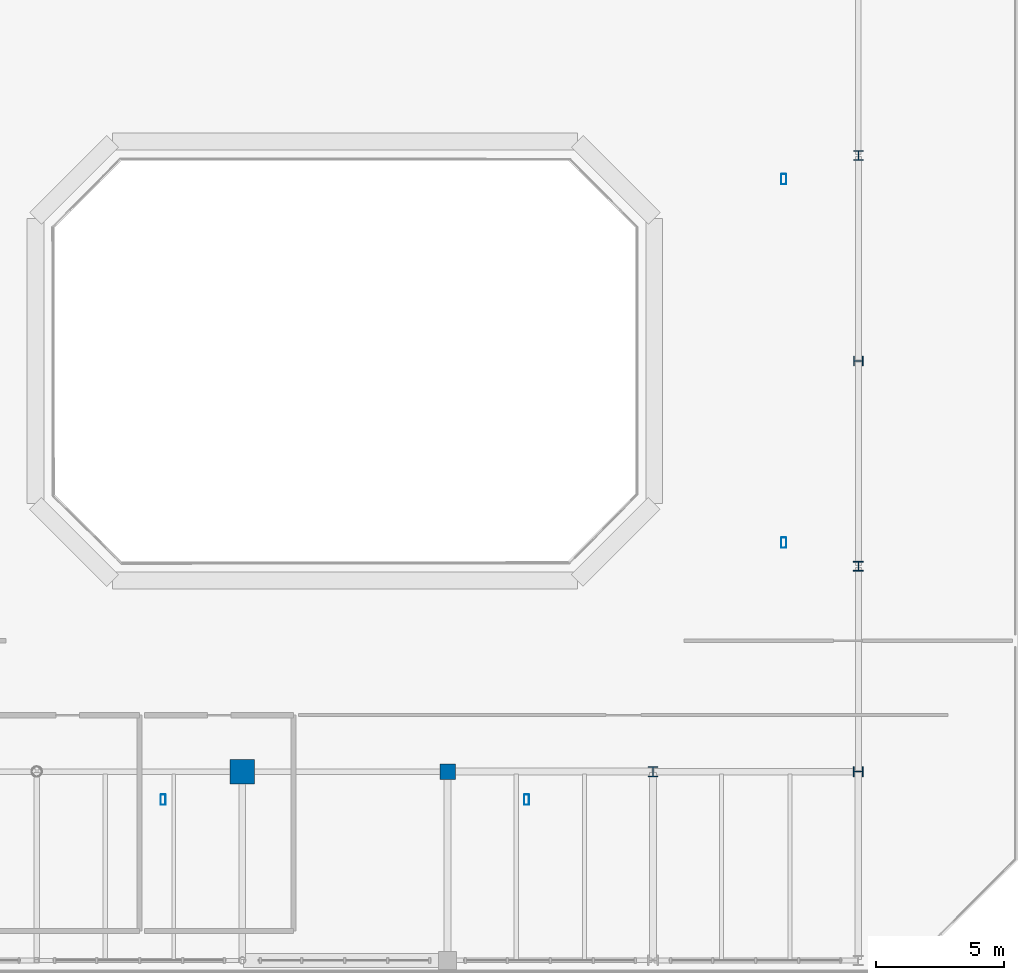
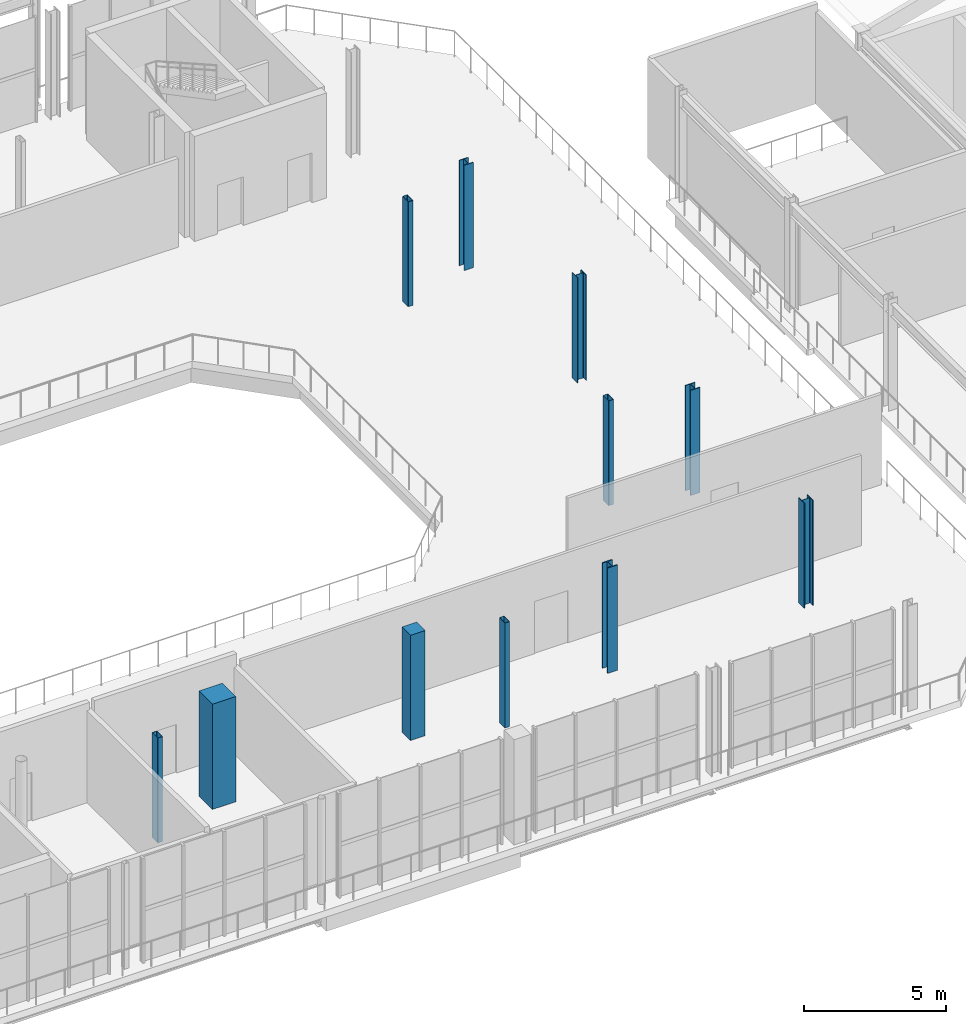
# One storey, part 11 of 70: 11 columns.
"""IFC4 building model written with IfcOpenShell, lengths in metres."""

from ifc_helpers import new_model, si_unit, direction, frame, origin, origin_2d, place, context, subcontext, project, spatial, rectangle, hollow_rectangle, i_section, extrude, material, material_profile, profile_set, type_object, element, save


model = new_model("IFC4")

# Units and contexts
model_context = context("Model", 3, precision=1e-05, world=origin(), true_north=direction((0.0, 1.0)))
body_context = subcontext(model_context, "Body", "Model", "MODEL_VIEW")
ifc_project = project(units=[si_unit("LENGTHUNIT", "METRE"), si_unit("AREAUNIT", "SQUARE_METRE"), si_unit("VOLUMEUNIT", "CUBIC_METRE"), si_unit("PLANEANGLEUNIT", "RADIAN"), si_unit("MASSUNIT", "GRAM", prefix="KILO")], contexts=[model_context])

# Site, building, storey
site_placement = place(None, origin())
site = spatial("IfcSite", under=ifc_project, at=site_placement, CompositionType="ELEMENT")
building_placement = place(site_placement, origin())
building = spatial("IfcBuilding", under=site, at=building_placement, Name="Brisemont Oceanarium", CompositionType="ELEMENT")
storey_placement = place(building_placement, frame((0.0, 0.0, 10.199951171875)))
storey = spatial("IfcBuildingStorey", under=building, at=storey_placement, Name="L02", CompositionType="ELEMENT", Elevation=10.199951171875)

# Columns
ifc_material_1 = material(Name="Structural Steel ASTM A500 Gr.C", Category="steel")
ifc_material_profile_1 = material_profile(ifc_material_1, hollow_rectangle(XDim=0.202880859375, YDim=0.406005859375, WallThickness=0.01171875, InnerFilletRadius=0.01220703125, OuterFilletRadius=0.02392578125, at=origin_2d()), Name="HSS16X8X1/2")
ifc_profile_set_1 = profile_set([ifc_material_profile_1], Name="Structural Steel ASTM A500 Gr.C")
column_type_1 = type_object("IfcColumnType", Name="COL-HSS16X8", PredefinedType="COLUMN", material=ifc_profile_set_1)
for number, where, z_axis, x_axis, name in (
    (1, (101.091796875, 63.07958984375, 0.0), (0.0, 0.0, 1.0), (1.0, 0.0, 0.0), "V1 dome drum pier L02.1"),
    (2, (76.92041015625, 38.908203125, 0.0), (0.0, 0.0, 1.0), (1.0, 0.0, 0.0), "V1 dome drum pier L02.6"),
    (3, (91.07958984375, 38.908203125, 0.0), (0.0, 0.0, 1.0), (1.0, 0.0, 0.0), "V1 dome drum pier L02.7"),
    (4, (101.091796875, 48.92041015625, 0.0), (0.0, 0.0, 1.0), (1.0, 0.0, 0.0), "V1 dome drum pier L02.8"),
):
    element("IfcColumn", number, at=place(storey_placement, frame(where, z_axis=z_axis, x_axis=x_axis)), inside=storey, type_object=column_type_1, Name=name, PredefinedType="COLUMN", context=body_context, shape_type="SweptSolid", body=[
        extrude(hollow_rectangle(XDim=0.202880859375, YDim=0.406005859375, WallThickness=0.01171875, InnerFilletRadius=0.01220703125, OuterFilletRadius=0.02392578125, at=origin_2d()), origin(), (0.0, 0.0, 1.0), 4.52001953125),
    ])
ifc_material_2 = material(Name="Concrete C35/45", Category="concrete")
ifc_material_profile_2 = material_profile(ifc_material_2, rectangle(XDim=0.60009765625, YDim=0.60009765625, at=origin_2d()), Name="RC-COL-600X600")
ifc_profile_set_2 = profile_set([ifc_material_profile_2], Name="Concrete C35/45")
column_type_2 = type_object("IfcColumnType", Name="COL-RC600", PredefinedType="COLUMN", material=ifc_profile_set_2)
column_1_placement = place(storey_placement, frame((88.0, 40.0, 0.0), z_axis=(0.0, 0.0, 1.0), x_axis=(0.0, 1.0, 0.0)))
element("IfcColumn", 5, at=column_1_placement, inside=storey, type_object=column_type_2, Name="V1 L02 column (4,1)", PredefinedType="COLUMN", context=body_context, shape_type="SweptSolid", body=[
    extrude(rectangle(XDim=0.60009765625, YDim=0.60009765625, at=origin_2d()), origin(), (0.0, 0.0, 1.0), 4.5400390625),
])
ifc_material_3 = material(Name="Concrete C40/50", Category="concrete")
ifc_material_profile_3 = material_profile(ifc_material_3, rectangle(XDim=0.949951171875, YDim=0.949951171875, at=origin_2d()), Name="RC-COL-950X950")
ifc_profile_set_3 = profile_set([ifc_material_profile_3], Name="Concrete C40/50")
column_type_3 = type_object("IfcColumnType", Name="COL-RC950", PredefinedType="COLUMN", material=ifc_profile_set_3)
column_2_placement = place(storey_placement, frame((80.0, 40.0, 0.0), z_axis=(0.0, 0.0, 1.0), x_axis=(1.0, 0.0, 0.0)))
element("IfcColumn", 6, at=column_2_placement, inside=storey, type_object=column_type_3, Name="V1 L02 column (3,1)", PredefinedType="COLUMN", context=body_context, shape_type="SweptSolid", body=[
    extrude(rectangle(XDim=0.949951171875, YDim=0.949951171875, at=origin_2d()), origin(), (0.0, 0.0, 1.0), 4.5400390625),
])
ifc_material_4 = material(Name="Structural Steel ASTM A992 Gr.50", Category="steel")
ifc_material_profile_4 = material_profile(ifc_material_4, i_section(OverallWidth=0.373046875, OverallDepth=0.367919921875, WebThickness=0.014892578125, FlangeThickness=0.02392578125, FilletRadius=0.014892578125, at=origin_2d()), Name="W14X120")
ifc_profile_set_4 = profile_set([ifc_material_profile_4], Name="Structural Steel ASTM A992 Gr.50")
column_type_4 = type_object("IfcColumnType", Name="COL-W14X120", PredefinedType="COLUMN", material=ifc_profile_set_4)
column_3_placement = place(storey_placement, frame((104.0, 64.0, 0.0), z_axis=(0.0, 0.0, 1.0), x_axis=(1.0, 0.0, 0.0)))
element("IfcColumn", 7, at=column_3_placement, inside=storey, type_object=column_type_4, Name="V1 L02 column (6,4)", PredefinedType="COLUMN", context=body_context, shape_type="SweptSolid", body=[
    extrude(i_section(OverallWidth=0.373046875, OverallDepth=0.367919921875, WebThickness=0.014892578125, FlangeThickness=0.02392578125, FilletRadius=0.014892578125, at=origin_2d()), origin(), (0.0, 0.0, 1.0), 4.5400390625),
])
ifc_material_5 = material(Name="Structural Steel ASTM A992 Gr.50", Category="steel")
ifc_material_profile_5 = material_profile(ifc_material_5, i_section(OverallWidth=0.3740234375, OverallDepth=0.3720703125, WebThickness=0.016357421875, FlangeThickness=0.026123046875, FilletRadius=0.014892578125, at=origin_2d()), Name="W14X132")
ifc_profile_set_5 = profile_set([ifc_material_profile_5], Name="Structural Steel ASTM A992 Gr.50")
column_type_5 = type_object("IfcColumnType", Name="COL-W14X132", PredefinedType="COLUMN", material=ifc_profile_set_5)
column_4_placement = place(storey_placement, frame((104.0, 56.0, 0.0), z_axis=(0.0, 0.0, 1.0), x_axis=(0.0, 1.0, 0.0)))
element("IfcColumn", 8, at=column_4_placement, inside=storey, type_object=column_type_5, Name="V1 L02 column (6,3)", PredefinedType="COLUMN", context=body_context, shape_type="SweptSolid", body=[
    extrude(i_section(OverallWidth=0.3740234375, OverallDepth=0.3720703125, WebThickness=0.016357421875, FlangeThickness=0.026123046875, FilletRadius=0.014892578125, at=origin_2d()), origin(), (0.0, 0.0, 1.0), 4.5400390625),
])
ifc_material_6 = material(Name="Structural Steel ASTM A992 Gr.50", Category="steel")
ifc_material_profile_6 = material_profile(ifc_material_6, i_section(OverallWidth=0.39404296875, OverallDepth=0.3759765625, WebThickness=0.017333984375, FlangeThickness=0.027587890625, FilletRadius=0.014892578125, at=origin_2d()), Name="W14X145")
ifc_profile_set_6 = profile_set([ifc_material_profile_6], Name="Structural Steel ASTM A992 Gr.50")
column_type_6 = type_object("IfcColumnType", Name="COL-W14X145", PredefinedType="COLUMN", material=ifc_profile_set_6)
column_5_placement = place(storey_placement, frame((104.0, 48.0, 0.0), z_axis=(0.0, 0.0, 1.0), x_axis=(1.0, 0.0, 0.0)))
element("IfcColumn", 9, at=column_5_placement, inside=storey, type_object=column_type_6, Name="V1 L02 column (6,2)", PredefinedType="COLUMN", context=body_context, shape_type="SweptSolid", body=[
    extrude(i_section(OverallWidth=0.39404296875, OverallDepth=0.3759765625, WebThickness=0.017333984375, FlangeThickness=0.027587890625, FilletRadius=0.014892578125, at=origin_2d()), origin(), (0.0, 0.0, 1.0), 4.5400390625),
])
ifc_material_7 = material(Name="Structural Steel ASTM A992 Gr.50", Category="steel")
ifc_material_profile_7 = material_profile(ifc_material_7, i_section(OverallWidth=0.39501953125, OverallDepth=0.3798828125, WebThickness=0.018798828125, FlangeThickness=0.0302734375, FilletRadius=0.014892578125, at=origin_2d()), Name="W14X159")
ifc_profile_set_7 = profile_set([ifc_material_profile_7], Name="Structural Steel ASTM A992 Gr.50")
column_type_7 = type_object("IfcColumnType", Name="COL-W14X159", PredefinedType="COLUMN", material=ifc_profile_set_7)
column_6_placement = place(storey_placement, frame((104.0, 40.0, 0.0), z_axis=(0.0, 0.0, 1.0), x_axis=(0.0, 1.0, 0.0)))
element("IfcColumn", 10, at=column_6_placement, inside=storey, type_object=column_type_7, Name="V1 L02 column (6,1)", PredefinedType="COLUMN", context=body_context, shape_type="SweptSolid", body=[
    extrude(i_section(OverallWidth=0.39501953125, OverallDepth=0.3798828125, WebThickness=0.018798828125, FlangeThickness=0.0302734375, FilletRadius=0.014892578125, at=origin_2d()), origin(), (0.0, 0.0, 1.0), 4.5400390625),
])
ifc_material_8 = material(Name="Structural Steel ASTM A992 Gr.50", Category="steel")
ifc_material_profile_8 = material_profile(ifc_material_8, i_section(OverallWidth=0.404052734375, OverallDepth=0.406982421875, WebThickness=0.027099609375, FlangeThickness=0.043701171875, FilletRadius=0.014892578125, at=origin_2d()), Name="W14X233")
ifc_profile_set_8 = profile_set([ifc_material_profile_8], Name="Structural Steel ASTM A992 Gr.50")
column_type_8 = type_object("IfcColumnType", Name="COL-W14X233", PredefinedType="COLUMN", material=ifc_profile_set_8)
column_7_placement = place(storey_placement, frame((96.0, 40.0, 0.0), z_axis=(0.0, 0.0, 1.0), x_axis=(1.0, 0.0, 0.0)))
element("IfcColumn", 11, at=column_7_placement, inside=storey, type_object=column_type_8, Name="V1 L02 column (5,1)", PredefinedType="COLUMN", context=body_context, shape_type="SweptSolid", body=[
    extrude(i_section(OverallWidth=0.404052734375, OverallDepth=0.406982421875, WebThickness=0.027099609375, FlangeThickness=0.043701171875, FilletRadius=0.014892578125, at=origin_2d()), origin(), (0.0, 0.0, 1.0), 4.5400390625),
])

save(model, "model.ifc")
